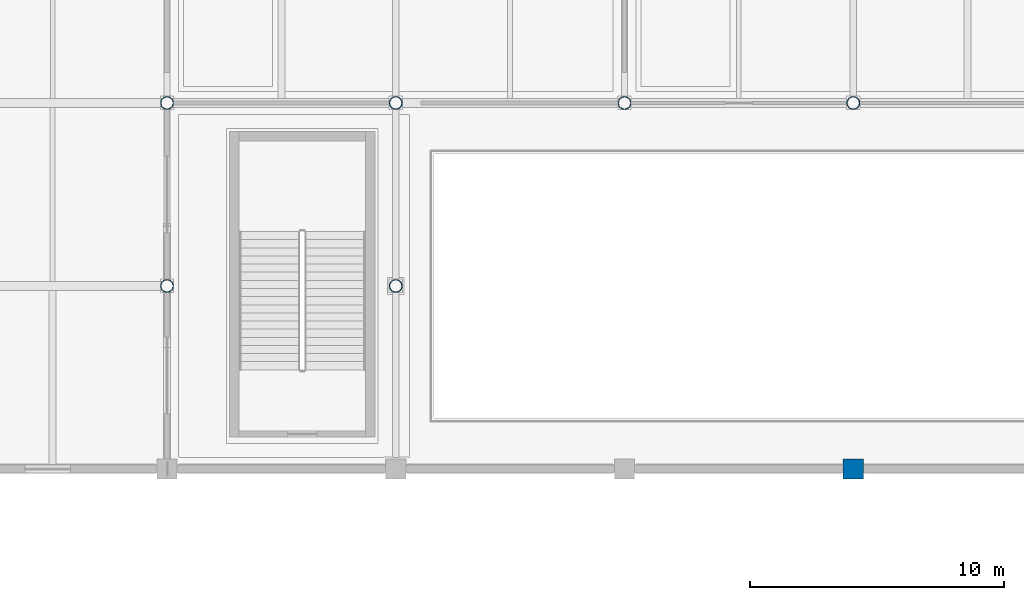
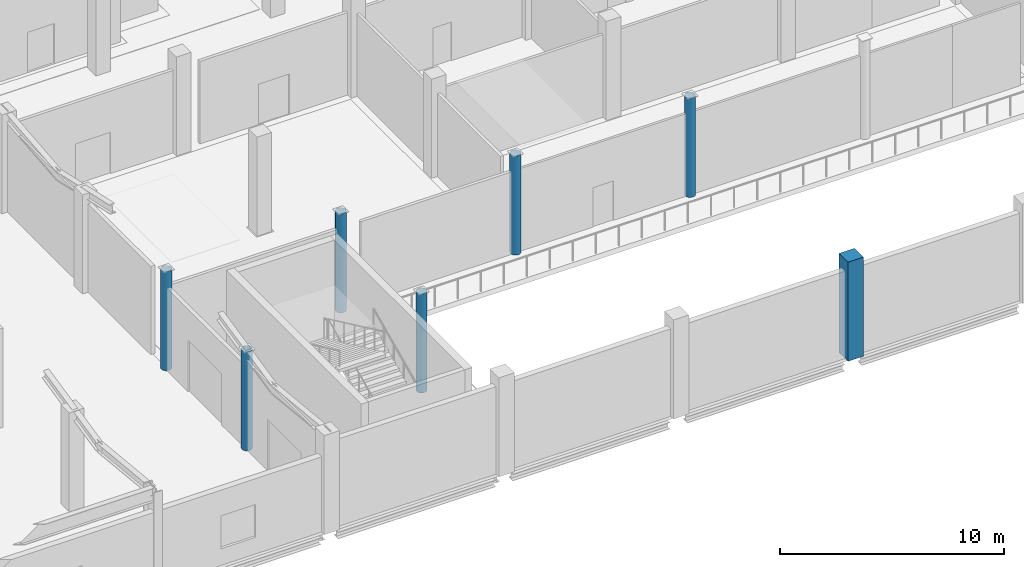
# One storey, part 4 of 189: 7 columns.
"""IFC4 building model written with IfcOpenShell, lengths in metres."""

from ifc_helpers import new_model, si_unit, direction, frame, origin, origin_2d, place, context, subcontext, project, spatial, rectangle, hollow_circle, extrude, material, material_profile, profile_set, type_object, element, save


model = new_model("IFC4")

# Units and contexts
model_context = context("Model", 3, precision=1e-05, world=origin(), true_north=direction((0.0, 1.0)))
body_context = subcontext(model_context, "Body", "Model", "MODEL_VIEW")
ifc_project = project(units=[si_unit("LENGTHUNIT", "METRE"), si_unit("AREAUNIT", "SQUARE_METRE"), si_unit("VOLUMEUNIT", "CUBIC_METRE"), si_unit("PLANEANGLEUNIT", "RADIAN"), si_unit("MASSUNIT", "GRAM", prefix="KILO")], contexts=[model_context])

# Site, building, storey
site_placement = place(None, origin())
site = spatial("IfcSite", under=ifc_project, at=site_placement, CompositionType="ELEMENT")
building_placement = place(site_placement, origin())
building = spatial("IfcBuilding", under=site, at=building_placement, Name="Celestram Park Convention Centre", CompositionType="ELEMENT")
storey_placement = place(building_placement, frame((0.0, 0.0, 5.39990234375)))
storey = spatial("IfcBuildingStorey", under=building, at=storey_placement, Name="L01", CompositionType="ELEMENT", Elevation=5.39990234375)

# Columns
ifc_material_1 = material(Name="Steel ASTM A500 Grade C", Category="steel")
ifc_material_profile_1 = material_profile(ifc_material_1, hollow_circle(Radius=0.25390625, WallThickness=0.01611328125, at=origin_2d()), Name="CHS508X16")
ifc_profile_set_1 = profile_set([ifc_material_profile_1], Name="Steel ASTM A500 Grade C")
column_type_1 = type_object("IfcColumnType", Name="STR-COL-CHS508", PredefinedType="COLUMN", material=ifc_profile_set_1)
for number, where, z_axis, x_axis, name in (
    (1, (36.0, 115.199951171875, 0.0), (0.0, 0.0, 1.0), (1.0, 0.0, 0.0), "Column CN-L01-042"),
    (2, (36.0, 122.39990234375, 0.0), (0.0, 0.0, 1.0), (1.0, 0.0, 0.0), "Column CN-L01-043"),
    (3, (45.0, 115.199951171875, 0.0), (0.0, 0.0, 1.0), (1.0, 0.0, 0.0), "Column CN-L01-052"),
    (4, (45.0, 122.39990234375, 0.0), (0.0, 0.0, 1.0), (1.0, 0.0, 0.0), "Column CN-L01-053"),
    (5, (54.0, 122.39990234375, 0.0), (0.0, 0.0, 1.0), (1.0, 0.0, 0.0), "Column CN-L01-062"),
    (6, (63.0, 122.39990234375, 0.0), (0.0, 0.0, 1.0), (1.0, 0.0, 0.0), "Column CN-L01-071"),
):
    element("IfcColumn", number, at=place(storey_placement, frame(where, z_axis=z_axis, x_axis=x_axis)), inside=storey, type_object=column_type_1, Name=name, PredefinedType="COLUMN", context=body_context, shape_type="SweptSolid", body=[
        extrude(hollow_circle(Radius=0.25390625, WallThickness=0.01611328125, at=origin_2d()), origin(), (0.0, 0.0, 1.0), 5.400146484375),
    ])
ifc_material_2 = material(Name="Concrete C40/50", Category="concrete")
ifc_material_profile_2 = material_profile(ifc_material_2, rectangle(XDim=0.800048828125, YDim=0.800048828125, at=origin_2d()), Name="RC800X800")
ifc_profile_set_2 = profile_set([ifc_material_profile_2], Name="Concrete C40/50")
column_type_2 = type_object("IfcColumnType", Name="STR-COL-RC800", PredefinedType="COLUMN", material=ifc_profile_set_2)
column_placement = place(storey_placement, frame((63.0, 108.0, 0.0), z_axis=(0.0, 0.0, 1.0), x_axis=(1.0, 0.0, 0.0)))
element("IfcColumn", 7, at=column_placement, inside=storey, type_object=column_type_2, Name="Column CN-L01-070", PredefinedType="COLUMN", context=body_context, shape_type="SweptSolid", body=[
    extrude(rectangle(XDim=0.800048828125, YDim=0.800048828125, at=origin_2d()), origin(), (0.0, 0.0, 1.0), 5.400146484375),
])

save(model, "model.ifc")
